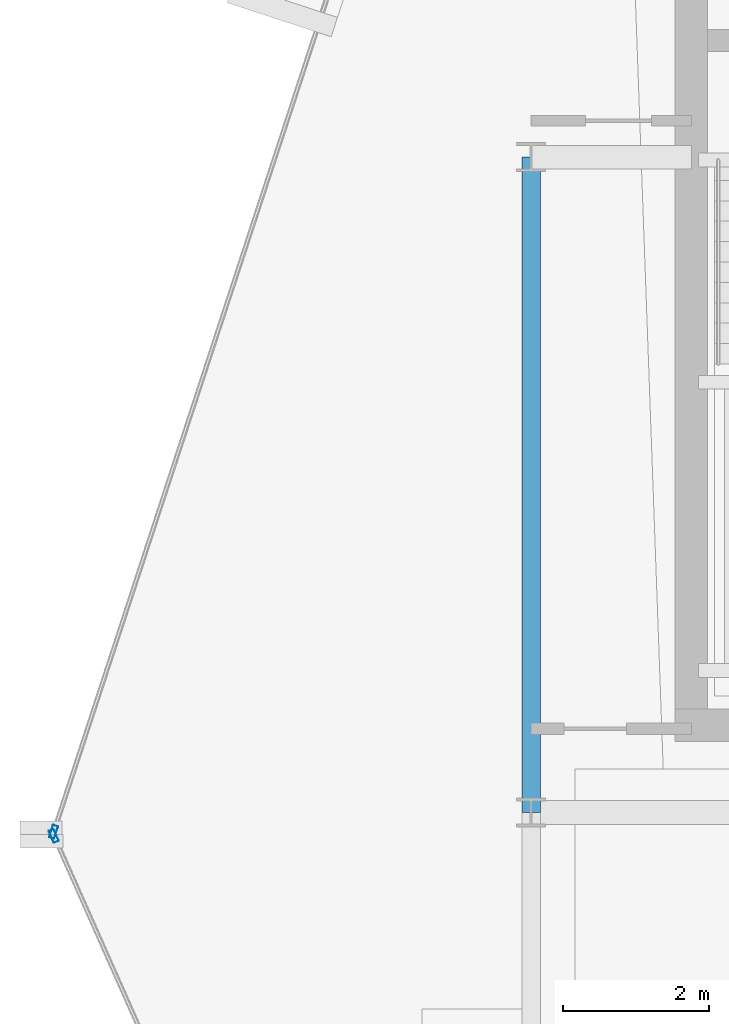
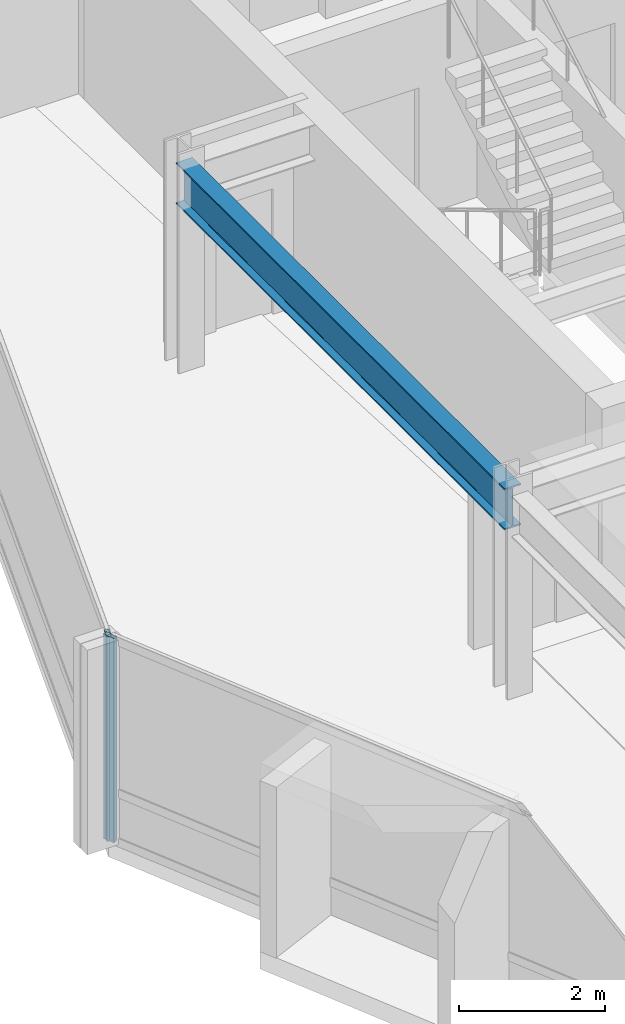
# One storey, part 6 of 27: 2 members, 1 beam, 2 elements without a shape of their own.
"""IFC4 building model written with IfcOpenShell, lengths in metres."""

from ifc_helpers import new_model, si_unit, direction, frame, origin, origin_2d, place, context, subcontext, project, spatial, hollow_rectangle, i_section, extrude, material, layer, layer_set, material_profile, profile_set, type_object, element, aggregate, save


model = new_model("IFC4")

# Units and contexts
model_context = context("Model", 3, precision=1e-05, world=origin(), true_north=direction((0.0, 1.0)))
body_context = subcontext(model_context, "Body", "Model", "MODEL_VIEW")
ifc_project = project(units=[si_unit("LENGTHUNIT", "METRE"), si_unit("AREAUNIT", "SQUARE_METRE"), si_unit("VOLUMEUNIT", "CUBIC_METRE"), si_unit("PLANEANGLEUNIT", "RADIAN"), si_unit("MASSUNIT", "GRAM", prefix="KILO")], contexts=[model_context])

# Site, building, storey
site_placement = place(None, origin())
site = spatial("IfcSite", under=ifc_project, at=site_placement, CompositionType="ELEMENT")
building_placement = place(site_placement, origin())
building = spatial("IfcBuilding", under=site, at=building_placement, Name="Solvaryn Broadcast Tower", CompositionType="ELEMENT")
storey_placement = place(building_placement, frame((0.0, 0.0, 224.699951171875)))
storey = spatial("IfcBuildingStorey", under=building, at=storey_placement, Name="L56", CompositionType="ELEMENT", Elevation=224.699951171875)

# Beam
ifc_material_1 = material(Name="Steel ASTM A992 Grade 50", Category="steel")
ifc_material_profile_1 = material_profile(ifc_material_1, i_section(OverallWidth=0.256103515625, OverallDepth=0.693115234375, WebThickness=0.014404296875, FlangeThickness=0.023681640625, FilletRadius=0.01611328125, at=origin_2d()))
ifc_profile_set_1 = profile_set([ifc_material_profile_1], Name="Steel ASTM A992 Grade 50")
beam_type = type_object("IfcBeamType", Name="BM-SP3-W27X114", PredefinedType="USERDEFINED", material=ifc_profile_set_1)
beam_placement = place(storey_placement, frame((9.0, 27.0, 3.073486328125), z_axis=(0.0, 1.0, 0.0), x_axis=(-1.0, 0.0, 0.0)))
element("IfcBeam", 1, at=beam_placement, inside=storey, type_object=beam_type, Name="L56 Spandrel Beam Y (27-36 @ X=9)", ObjectType="SPANDREL", PredefinedType="USERDEFINED", context=body_context, shape_type="SweptSolid", body=[
    extrude(i_section(OverallWidth=0.256103515625, OverallDepth=0.693115234375, WebThickness=0.014404296875, FlangeThickness=0.023681640625, FilletRadius=0.01611328125, at=origin_2d()), origin(), (0.0, 0.0, 1.0), 9.0),
])

# Curtain wall, member
ifc_material_2 = material(Name="Aluminium and Terracotta Unitised Curtain Wall", Category="masonry")
ifc_layer = layer(ifc_material_2, 0.199951171875)
ifc_layer_set = layer_set([ifc_layer], Name="CW-SYS2-LOWMID")
curtain_wall_type = type_object("IfcCurtainWallType", Name="CW-SYS2-LOWMID", PredefinedType="NOTDEFINED", material=ifc_layer_set)
curtain_wall_1_placement = place(storey_placement, origin())
curtain_wall_1 = element("IfcCurtainWall", 2, at=curtain_wall_1_placement, inside=storey, type_object=curtain_wall_type, Name="L56 Curtain Wall DR1", PredefinedType="NOTDEFINED")
ifc_material_3 = material(Name="Anodised Aluminium 6063-T6", Category="aluminium")
ifc_material_profile_2 = material_profile(ifc_material_3, hollow_rectangle(XDim=0.074951171875, YDim=0.179931640625, WallThickness=0.00390625, InnerFilletRadius=0.00390625, OuterFilletRadius=0.008056640625, at=origin_2d()))
ifc_profile_set_2 = profile_set([ifc_material_profile_2], Name="Anodised Aluminium 6063-T6")
member_type = type_object("IfcMemberType", Name="CW-MUL-180", PredefinedType="MULLION", material=ifc_profile_set_2)
member_1_placement = place(storey_placement, frame((2.4423828125, 26.734619140625, 0.0), z_axis=(0.0, 0.0, 1.0), x_axis=(0.950226902099, -0.311558717623, 0.0)))
member_1 = element("IfcMember", 3, at=member_1_placement, type_object=member_type, Name="CWS2 mullion 2", PredefinedType="MULLION", context=body_context, shape_type="SweptSolid", body=[
    extrude(hollow_rectangle(XDim=0.074951171875, YDim=0.179931640625, WallThickness=0.00390625, InnerFilletRadius=0.00390625, OuterFilletRadius=0.008056640625, at=origin_2d()), origin(), (0.0, 0.0, 1.0), 3.420166015625),
])
aggregate(curtain_wall_1, [member_1])

curtain_wall_2_placement = place(storey_placement, origin())
curtain_wall_2 = element("IfcCurtainWall", 4, at=curtain_wall_2_placement, inside=storey, type_object=curtain_wall_type, Name="L56 Curtain Wall DR2", PredefinedType="NOTDEFINED")
member_2_placement = place(storey_placement, frame((2.445068359375, 26.678466796875, 0.0), z_axis=(0.0, 0.0, 1.0), x_axis=(0.913916902365, 0.405901337237, 0.0)))
member_2 = element("IfcMember", 5, at=member_2_placement, type_object=member_type, Name="CWS2 mullion 1", PredefinedType="MULLION", context=body_context, shape_type="SweptSolid", body=[
    extrude(hollow_rectangle(XDim=0.074951171875, YDim=0.179931640625, WallThickness=0.00390625, InnerFilletRadius=0.00390625, OuterFilletRadius=0.008056640625, at=origin_2d()), origin(), (0.0, 0.0, 1.0), 3.420166015625),
])
aggregate(curtain_wall_2, [member_2])

save(model, "model.ifc")
